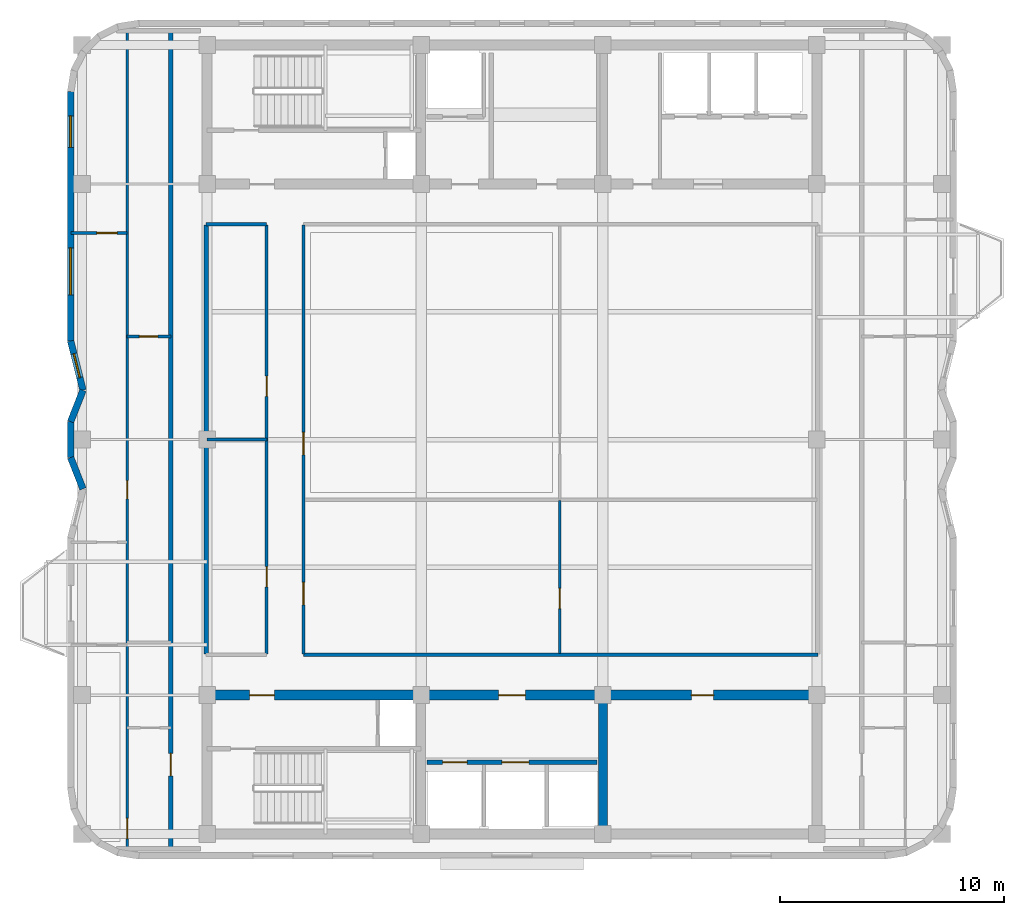
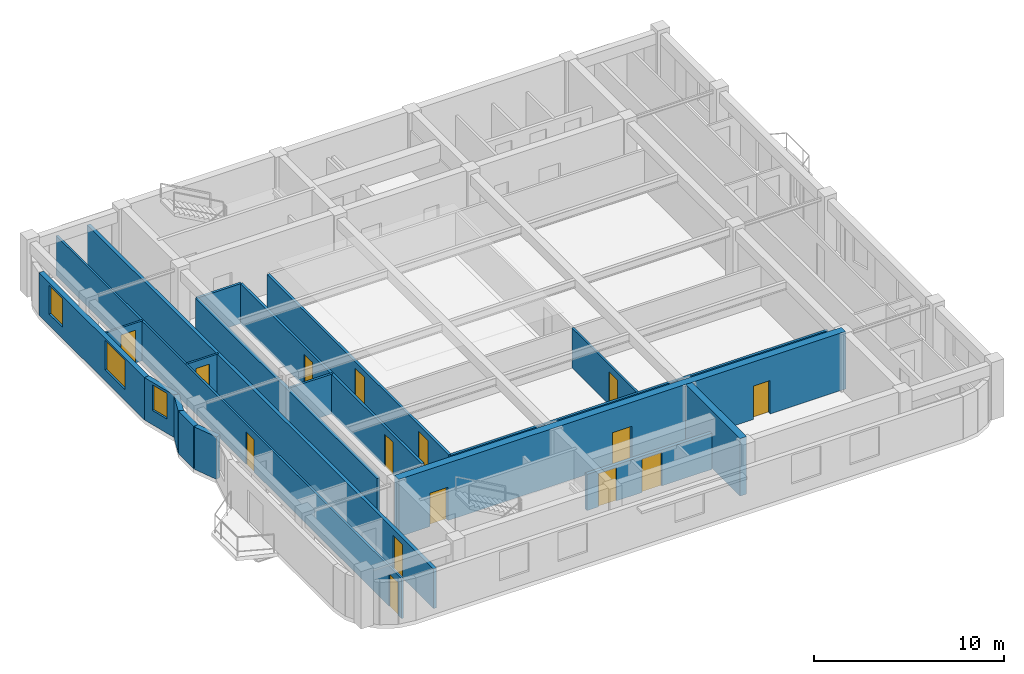
# One storey, part 3 of 8: 19 walls, 15 doors, 3 windows, 18 openings.
"""IFC4 building model written with IfcOpenShell, lengths in metres."""

from ifc_helpers import new_model, si_unit, direction, frame, frame_2d, origin, place, context, subcontext, project, spatial, rectangle, extrude, material, layer, layer_set, type_object, element, fill, save


model = new_model("IFC4")

# Units and contexts
model_context = context("Model", 3, precision=1e-05, world=origin(), true_north=direction((0.0, 1.0)))
body_context = subcontext(model_context, "Body", "Model", "MODEL_VIEW")
ifc_project = project(units=[si_unit("LENGTHUNIT", "METRE"), si_unit("AREAUNIT", "SQUARE_METRE"), si_unit("VOLUMEUNIT", "CUBIC_METRE"), si_unit("PLANEANGLEUNIT", "RADIAN"), si_unit("MASSUNIT", "GRAM", prefix="KILO")], contexts=[model_context])

# Site, building, storey
site_placement = place(None, origin())
site = spatial("IfcSite", under=ifc_project, at=site_placement, CompositionType="ELEMENT")
building_placement = place(site_placement, origin())
building = spatial("IfcBuilding", under=site, at=building_placement, Name="Svetorya Sky Lyceum", CompositionType="ELEMENT")
storey_placement = place(building_placement, frame((0.0, 0.0, 260.199951171875)))
storey = spatial("IfcBuildingStorey", under=building, at=storey_placement, Name="L65", CompositionType="ELEMENT", Elevation=260.199951171875)

# Wall
ifc_material_1 = material(Name="Concrete C40/50", Category="concrete")
ifc_layer_1 = layer(ifc_material_1, 0.39990234375)
ifc_layer_set_1 = layer_set([ifc_layer_1], Name="Concrete C40/50")
wall_type_1 = type_object("IfcWallType", Name="WL-CORE-400", PredefinedType="SHEAR", material=ifc_layer_set_1)
wall_1_placement = place(storey_placement, frame((43.25, 10.824951171875, 0.0), z_axis=(0.0, 0.0, 1.0), x_axis=(0.0, 1.0, 0.0)))
element("IfcWall", 1, at=wall_1_placement, inside=storey, type_object=wall_type_1, Name="L65 SC Internal Shear Web WEB2", PredefinedType="SHEAR", context=body_context, shape_type="SweptSolid", body=[
    extrude(rectangle(XDim=5.75, YDim=0.39990234375, at=frame_2d((2.875, 0.0))), origin(), (0.0, 0.0, 1.0), 3.699951171875),
])

# Wall, openings, doors
ifc_material_2 = material(Name="Concrete C50/60", Category="concrete")
ifc_layer_2 = layer(ifc_material_2, 0.449951171875)
ifc_layer_set_2 = layer_set([ifc_layer_2], Name="Concrete C50/60")
wall_type_2 = type_object("IfcWallType", Name="WL-CORE-450", PredefinedType="SHEAR", material=ifc_layer_set_2)
wall_2_placement = place(storey_placement, frame((25.60009765625, 16.800048828125, 0.0), z_axis=(0.0, 0.0, 1.0), x_axis=(1.0, 0.0, 0.0)))
wall_2 = element("IfcWall", 2, at=wall_2_placement, inside=storey, type_object=wall_type_2, Name="L65 SC Inner Core Shear Wall", PredefinedType="SHEAR", context=body_context, shape_type="SweptSolid", body=[
    extrude(rectangle(XDim=27.199951171875, YDim=0.449951171875, at=frame_2d((13.60009765625, 0.0))), origin(), (0.0, 0.0, 1.0), 3.699951171875),
])
opening_1_placement = place(wall_2_placement, frame((1.89990234375, 0.0, 0.0)))
opening_1 = element("IfcOpeningElement", 3, at=opening_1_placement, cuts=wall_2, Name="Opening D-ST1", PredefinedType="OPENING", context=body_context, shape_type="SweptSolid", body=[
    extrude(rectangle(XDim=1.10009765625, YDim=2.14990234375, at=frame_2d((0.550048828125, 1.074951171875))), frame((0.0, 0.23486328125, 0.0), z_axis=(0.0, -1.0, 0.0), x_axis=(1.0, 0.0, 0.0)), (0.0, 0.0, 1.0), 0.469970703125),
])
opening_2_placement = place(wall_2_placement, frame((13.0, 0.0, 0.0)))
opening_2 = element("IfcOpeningElement", 4, at=opening_2_placement, cuts=wall_2, Name="Opening D-FL1", PredefinedType="OPENING", context=body_context, shape_type="SweptSolid", body=[
    extrude(rectangle(XDim=1.199951171875, YDim=2.14990234375, at=frame_2d((0.60009765625, 1.074951171875))), frame((0.0, 0.23486328125, 0.0), z_axis=(0.0, -1.0, 0.0), x_axis=(1.0, 0.0, 0.0)), (0.0, 0.0, 1.0), 0.469970703125),
])
opening_3_placement = place(wall_2_placement, frame((21.60009765625, 0.0, 0.0)))
opening_3 = element("IfcOpeningElement", 5, at=opening_3_placement, cuts=wall_2, Name="Opening D-RM2", PredefinedType="OPENING", context=body_context, shape_type="SweptSolid", body=[
    extrude(rectangle(XDim=1.0, YDim=2.14990234375, at=frame_2d((0.5, 1.074951171875))), frame((0.0, 0.23486328125, 0.0), z_axis=(0.0, -1.0, 0.0), x_axis=(1.0, 0.0, 0.0)), (0.0, 0.0, 1.0), 0.469970703125),
])
ifc_material_3 = material(Name="Powder-coated insulated galvanized stair fire door")
door_type_1 = type_object("IfcDoorType", Name="DR-FIRE-1100", OperationType="SINGLE_SWING_LEFT", PredefinedType="DOOR", material=ifc_material_3)
door_1_placement = place(opening_1_placement, origin())
door_1 = element("IfcDoor", 6, at=door_1_placement, inside=storey, type_object=door_type_1, Name="L65 South Stair Airlock Door", OperationType="SINGLE_SWING_RIGHT", OverallHeight=2.14990234375, OverallWidth=1.10009765625, PredefinedType="DOOR", context=body_context, shape_type="SweptSolid", body=[
    extrude(rectangle(XDim=1.10009765625, YDim=2.14990234375, at=frame_2d((0.550048828125, 1.074951171875))), frame((0.0, 0.02490234375, 0.0), z_axis=(0.0, -1.0, 0.0), x_axis=(1.0, 0.0, 0.0)), (0.0, 0.0, 1.0), 0.050048828125),
])
fill(opening_1, door_1)
ifc_material_4 = material(Name="Powder-coated insulated galvanized fire door")
door_type_2 = type_object("IfcDoorType", Name="DR-FIRE-1200", OperationType="SINGLE_SWING_LEFT", PredefinedType="DOOR", material=ifc_material_4)
door_2_placement = place(opening_2_placement, origin())
door_2 = element("IfcDoor", 7, at=door_2_placement, inside=storey, type_object=door_type_2, Name="L65 South Firefighting Lift Lobby Door", OperationType="SINGLE_SWING_LEFT", OverallHeight=2.14990234375, OverallWidth=1.199951171875, PredefinedType="DOOR", context=body_context, shape_type="SweptSolid", body=[
    extrude(rectangle(XDim=1.199951171875, YDim=2.14990234375, at=frame_2d((0.60009765625, 1.074951171875))), frame((0.0, 0.02490234375, 0.0), z_axis=(0.0, -1.0, 0.0), x_axis=(1.0, 0.0, 0.0)), (0.0, 0.0, 1.0), 0.050048828125),
])
fill(opening_2, door_2)
ifc_material_5 = material(Name="Solid-core oak acoustic room door")
door_type_3 = type_object("IfcDoorType", Name="DR-INT-1000", OperationType="SINGLE_SWING_LEFT", PredefinedType="DOOR", material=ifc_material_5)
door_3_placement = place(opening_3_placement, origin())
door_3 = element("IfcDoor", 8, at=door_3_placement, inside=storey, type_object=door_type_3, Name="L65 Trunk Store Door", OperationType="SINGLE_SWING_LEFT", OverallHeight=2.14990234375, OverallWidth=1.0, PredefinedType="DOOR", context=body_context, shape_type="SweptSolid", body=[
    extrude(rectangle(XDim=1.0, YDim=2.14990234375, at=frame_2d((0.5, 1.074951171875))), frame((0.0, 0.02490234375, 0.0), z_axis=(0.0, -1.0, 0.0), x_axis=(1.0, 0.0, 0.0)), (0.0, 0.0, 1.0), 0.050048828125),
])
fill(opening_3, door_3)

# Wall, openings, windows
ifc_material_6 = material(Name="Putilovo limestone rainscreen on autoclaved cellular masonry", Category="masonry")
ifc_layer_3 = layer(ifc_material_6, 0.300048828125)
ifc_layer_set_3 = layer_set([ifc_layer_3], Name="Putilovo limestone rainscreen on autoclaved cellular masonry")
wall_type_3 = type_object("IfcWallType", Name="WL-EXT-300", PredefinedType="SOLIDWALL", material=ifc_layer_set_3)
wall_3_placement = place(storey_placement, frame((19.510009765625, 43.719970703125, 0.0), z_axis=(0.0, 0.0, 1.0), x_axis=(0.0, -1.0, 0.0)))
wall_3 = element("IfcWall", 9, at=wall_3_placement, inside=storey, type_object=wall_type_3, Name="L65 Limestone Exterior Wall 30M", PredefinedType="SOLIDWALL", context=body_context, shape_type="SweptSolid", body=[
    extrude(rectangle(XDim=11.119873046875, YDim=0.300048828125, at=frame_2d((5.56005859375, 0.0))), origin(), (0.0, 0.0, 1.0), 2.72998046875),
])
opening_4_placement = place(wall_3_placement, frame((1.080078125, 0.0, 0.719970703125)))
opening_4 = element("IfcOpeningElement", 10, at=opening_4_placement, cuts=wall_3, Name="Opening W-R2", PredefinedType="OPENING", context=body_context, shape_type="SweptSolid", body=[
    extrude(rectangle(XDim=1.39990234375, YDim=1.85009765625, at=frame_2d((0.699951171875, 0.925048828125))), frame((0.0, 0.159912109375, 0.0), z_axis=(0.0, -1.0, 0.0), x_axis=(1.0, 0.0, 0.0)), (0.0, 0.0, 1.0), 0.320068359375),
])
opening_5_placement = place(wall_3_placement, frame((6.965087890625, 0.0, 0.7099609375)))
opening_5 = element("IfcOpeningElement", 11, at=opening_5_placement, cuts=wall_3, Name="Opening W-R0", PredefinedType="OPENING", context=body_context, shape_type="SweptSolid", body=[
    extrude(rectangle(XDim=2.10009765625, YDim=1.89990234375, at=frame_2d((1.050048828125, 0.949951171875))), frame((0.0, 0.159912109375, 0.0), z_axis=(0.0, -1.0, 0.0), x_axis=(1.0, 0.0, 0.0)), (0.0, 0.0, 1.0), 0.320068359375),
])
ifc_material_7 = material(Name="Thermally broken aluminium frame with triple low-E glazing", Category="aluminium")
window_type_1 = type_object("IfcWindowType", Name="WN-RES-140", PartitioningType="SINGLE_PANEL", PredefinedType="WINDOW", material=ifc_material_7)
window_1_placement = place(opening_4_placement, origin())
window_1 = element("IfcWindow", 12, at=window_1_placement, inside=storey, type_object=window_type_1, Name="L65 Facade Window W-R2.30M.2", OverallHeight=1.85009765625, OverallWidth=1.39990234375, PartitioningType="SINGLE_PANEL", PredefinedType="WINDOW", context=body_context, shape_type="SweptSolid", body=[
    extrude(rectangle(XDim=1.39990234375, YDim=1.85009765625, at=frame_2d((0.699951171875, 0.925048828125))), frame((0.0, 0.030029296875, 0.0), z_axis=(0.0, -1.0, 0.0), x_axis=(1.0, 0.0, 0.0)), (0.0, 0.0, 1.0), 0.06005859375),
])
fill(opening_4, window_1)
window_type_2 = type_object("IfcWindowType", Name="WN-RES-210", PartitioningType="TRIPLE_PANEL_VERTICAL", PredefinedType="WINDOW", material=ifc_material_7)
window_2_placement = place(opening_5_placement, origin())
window_2 = element("IfcWindow", 13, at=window_2_placement, inside=storey, type_object=window_type_2, Name="L65 Facade Window W-R0.30M.1", OverallHeight=1.89990234375, OverallWidth=2.10009765625, PartitioningType="SINGLE_PANEL", PredefinedType="WINDOW", context=body_context, shape_type="SweptSolid", body=[
    extrude(rectangle(XDim=2.10009765625, YDim=1.89990234375, at=frame_2d((1.050048828125, 0.949951171875))), frame((0.0, 0.030029296875, 0.0), z_axis=(0.0, -1.0, 0.0), x_axis=(1.0, 0.0, 0.0)), (0.0, 0.0, 1.0), 0.06005859375),
])
fill(opening_5, window_2)

# Wall, opening, window
wall_4_placement = place(storey_placement, frame((19.510009765625, 32.60009765625, 0.0), z_axis=(0.0, 0.0, 1.0), x_axis=(0.242535625036, -0.970142500145, 0.0)))
wall_4 = element("IfcWall", 14, at=wall_4_placement, inside=storey, type_object=wall_type_3, Name="L65 Limestone Exterior Wall 31M", PredefinedType="SOLIDWALL", context=body_context, shape_type="SweptSolid", body=[
    extrude(rectangle(XDim=2.267822265625, YDim=0.300048828125, at=frame_2d((1.1337890625, 0.0))), origin(), (0.0, 0.0, 1.0), 2.72998046875),
])
opening_6_placement = place(wall_4_placement, frame((0.583984375, 0.0, 0.919921875)))
opening_6 = element("IfcOpeningElement", 15, at=opening_6_placement, cuts=wall_4, Name="Opening W-R3", PredefinedType="OPENING", context=body_context, shape_type="SweptSolid", body=[
    extrude(rectangle(XDim=1.10009765625, YDim=1.64990234375, at=frame_2d((0.550048828125, 0.824951171875))), frame((0.0, 0.159912109375, 0.0), z_axis=(0.0, -1.0, 0.0), x_axis=(1.0, 0.0, 0.0)), (0.0, 0.0, 1.0), 0.320068359375),
])
window_type_3 = type_object("IfcWindowType", Name="WN-RES-110", PartitioningType="SINGLE_PANEL", PredefinedType="WINDOW", material=ifc_material_7)
window_3_placement = place(opening_6_placement, origin())
window_3 = element("IfcWindow", 16, at=window_3_placement, inside=storey, type_object=window_type_3, Name="L65 Facade Window W-R3.31M.1", OverallHeight=1.64990234375, OverallWidth=1.10009765625, PartitioningType="SINGLE_PANEL", PredefinedType="WINDOW", context=body_context, shape_type="SweptSolid", body=[
    extrude(rectangle(XDim=1.10009765625, YDim=1.64990234375, at=frame_2d((0.550048828125, 0.824951171875))), frame((0.0, 0.030029296875, 0.0), z_axis=(0.0, -1.0, 0.0), x_axis=(1.0, 0.0, 0.0)), (0.0, 0.0, 1.0), 0.06005859375),
])
fill(opening_6, window_3)

# Walls
wall_5_placement = place(storey_placement, frame((20.06005859375, 30.39990234375, 0.0), z_axis=(0.0, 0.0, 1.0), x_axis=(-0.365702591843, -0.930731762818, 0.0)))
element("IfcWall", 17, at=wall_5_placement, inside=storey, type_object=wall_type_3, Name="L65 Limestone Exterior Wall 32M", PredefinedType="SOLIDWALL", context=body_context, shape_type="SweptSolid", body=[
    extrude(rectangle(XDim=1.504150390625, YDim=0.300048828125, at=frame_2d((0.751953125, 0.0))), origin(), (0.0, 0.0, 1.0), 2.72998046875),
])
wall_6_placement = place(storey_placement, frame((19.510009765625, 29.0, 0.0), z_axis=(0.0, 0.0, 1.0), x_axis=(0.0, -1.0, 0.0)))
element("IfcWall", 18, at=wall_6_placement, inside=storey, type_object=wall_type_3, Name="L65 Limestone Exterior Wall 33M", PredefinedType="SOLIDWALL", context=body_context, shape_type="SweptSolid", body=[
    extrude(rectangle(XDim=1.60009765625, YDim=0.300048828125, at=frame_2d((0.800048828125, 0.0))), origin(), (0.0, 0.0, 1.0), 2.72998046875),
])
wall_7_placement = place(storey_placement, frame((19.510009765625, 27.39990234375, 0.0), z_axis=(0.0, 0.0, 1.0), x_axis=(0.365702591843, -0.930731762818, 0.0)))
element("IfcWall", 19, at=wall_7_placement, inside=storey, type_object=wall_type_3, Name="L65 Limestone Exterior Wall 34M", PredefinedType="SOLIDWALL", context=body_context, shape_type="SweptSolid", body=[
    extrude(rectangle(XDim=1.504150390625, YDim=0.300048828125, at=frame_2d((0.751953125, 0.0))), origin(), (0.0, 0.0, 1.0), 2.72998046875),
])

# Wall, opening, door
ifc_material_8 = material(Name="Twin-stud galvanized framing with double fireboard", Category="gypsum")
ifc_layer_4 = layer(ifc_material_8, 0.1201171875)
ifc_layer_set_4 = layer_set([ifc_layer_4], Name="Twin-stud galvanized framing with double fireboard")
wall_type_4 = type_object("IfcWallType", Name="WL-PART-120", PredefinedType="PARTITIONING", material=ifc_layer_set_4)
wall_8_placement = place(storey_placement, frame((41.3349609375, 18.659912109375, 0.0), z_axis=(0.0, 0.0, 1.0), x_axis=(0.0, 1.0, 0.0)))
wall_8 = element("IfcWall", 20, at=wall_8_placement, inside=storey, type_object=wall_type_4, Name="L65 Interior Partition OFF-VEM1", PredefinedType="PARTITIONING", context=body_context, shape_type="SweptSolid", body=[
    extrude(rectangle(XDim=6.820556640625, YDim=0.1201171875, at=frame_2d((3.41015625, 0.0))), origin(), (0.0, 0.0, 1.0), 2.56005859375),
])
opening_7_placement = place(wall_8_placement, frame((2.0, 0.0, 0.0)))
opening_7 = element("IfcOpeningElement", 21, at=opening_7_placement, cuts=wall_8, Name="Opening D-RM1", PredefinedType="OPENING", context=body_context, shape_type="SweptSolid", body=[
    extrude(rectangle(XDim=0.89990234375, YDim=2.10009765625, at=frame_2d((0.449951171875, 1.050048828125))), frame((0.0, 0.070068359375, 0.0), z_axis=(0.0, -1.0, 0.0), x_axis=(1.0, 0.0, 0.0)), (0.0, 0.0, 1.0), 0.14013671875),
])
ifc_material_9 = material(Name="Lacquered birch veneer internal door")
door_type_4 = type_object("IfcDoorType", Name="DR-INT-900", OperationType="SINGLE_SWING_LEFT", PredefinedType="DOOR", material=ifc_material_9)
door_4_placement = place(opening_7_placement, origin())
door_4 = element("IfcDoor", 22, at=door_4_placement, inside=storey, type_object=door_type_4, Name="L65 East Study Door", OperationType="SINGLE_SWING_LEFT", OverallHeight=2.10009765625, OverallWidth=0.89990234375, PredefinedType="DOOR", context=body_context, shape_type="SweptSolid", body=[
    extrude(rectangle(XDim=0.89990234375, YDim=2.10009765625, at=frame_2d((0.449951171875, 1.050048828125))), frame((0.0, 0.02490234375, 0.0), z_axis=(0.0, -1.0, 0.0), x_axis=(1.0, 0.0, 0.0)), (0.0, 0.0, 1.0), 0.050048828125),
])
fill(opening_7, door_4)

wall_9_placement = place(storey_placement, frame((22.030029296875, 32.800048828125, 0.0), z_axis=(0.0, 0.0, 1.0), x_axis=(1.0, 0.0, 0.0)))
wall_9 = element("IfcWall", 23, at=wall_9_placement, inside=storey, type_object=wall_type_4, Name="L65 Interior Partition W1-WH3", PredefinedType="PARTITIONING", context=body_context, shape_type="SweptSolid", body=[
    extrude(rectangle(XDim=1.949951171875, YDim=0.1201171875, at=frame_2d((0.97509765625, 0.0))), origin(), (0.0, 0.0, 1.0), 2.56005859375),
])
opening_8_placement = place(wall_9_placement, frame((0.550048828125, 0.0, 0.0)))
opening_8 = element("IfcOpeningElement", 24, at=opening_8_placement, cuts=wall_9, Name="Opening D-BT2", PredefinedType="OPENING", context=body_context, shape_type="SweptSolid", body=[
    extrude(rectangle(XDim=0.820068359375, YDim=2.080078125, at=frame_2d((0.41015625, 1.0400390625))), frame((0.0, 0.070068359375, 0.0), z_axis=(0.0, -1.0, 0.0), x_axis=(1.0, 0.0, 0.0)), (0.0, 0.0, 1.0), 0.14013671875),
])
ifc_material_10 = material(Name="Compact moisture-resistant laminate closet door")
door_type_5 = type_object("IfcDoorType", Name="DR-WET-820", OperationType="SINGLE_SWING_LEFT", PredefinedType="DOOR", material=ifc_material_10)
door_5_placement = place(opening_8_placement, origin())
door_5 = element("IfcDoor", 25, at=door_5_placement, inside=storey, type_object=door_type_5, Name="Apartment W1 Laundry Door", OperationType="SINGLE_SWING_RIGHT", OverallHeight=2.080078125, OverallWidth=0.820068359375, PredefinedType="DOOR", context=body_context, shape_type="SweptSolid", body=[
    extrude(rectangle(XDim=0.820068359375, YDim=2.080078125, at=frame_2d((0.41015625, 1.0400390625))), frame((0.0, 0.02490234375, 0.0), z_axis=(0.0, -1.0, 0.0), x_axis=(1.0, 0.0, 0.0)), (0.0, 0.0, 1.0), 0.050048828125),
])
fill(opening_8, door_5)

wall_10_placement = place(storey_placement, frame((19.530029296875, 37.419921875, 0.0), z_axis=(0.0, 0.0, 1.0), x_axis=(1.0, 0.0, 0.0)))
wall_10 = element("IfcWall", 26, at=wall_10_placement, inside=storey, type_object=wall_type_4, Name="L65 Interior Partition W1-WL3", PredefinedType="PARTITIONING", context=body_context, shape_type="SweptSolid", body=[
    extrude(rectangle(XDim=2.5, YDim=0.1201171875, at=frame_2d((1.25, 0.0))), origin(), (0.0, 0.0, 1.0), 2.56005859375),
])
opening_9_placement = place(wall_10_placement, frame((1.14990234375, 0.0, 0.0)))
opening_9 = element("IfcOpeningElement", 27, at=opening_9_placement, cuts=wall_10, Name="Opening D-RM1", PredefinedType="OPENING", context=body_context, shape_type="SweptSolid", body=[
    extrude(rectangle(XDim=0.89990234375, YDim=2.10009765625, at=frame_2d((0.449951171875, 1.050048828125))), frame((0.0, 0.070068359375, 0.0), z_axis=(0.0, -1.0, 0.0), x_axis=(1.0, 0.0, 0.0)), (0.0, 0.0, 1.0), 0.14013671875),
])
door_6_placement = place(opening_9_placement, origin())
door_6 = element("IfcDoor", 28, at=door_6_placement, inside=storey, type_object=door_type_4, Name="Apartment W1 Bedroom 3 Door", OperationType="SINGLE_SWING_LEFT", OverallHeight=2.10009765625, OverallWidth=0.89990234375, PredefinedType="DOOR", context=body_context, shape_type="SweptSolid", body=[
    extrude(rectangle(XDim=0.89990234375, YDim=2.10009765625, at=frame_2d((0.449951171875, 1.050048828125))), frame((0.0, 0.02490234375, 0.0), z_axis=(0.0, -1.0, 0.0), x_axis=(1.0, 0.0, 0.0)), (0.0, 0.0, 1.0), 0.050048828125),
])
fill(opening_9, door_6)

# Wall, openings, doors
wall_11_placement = place(storey_placement, frame((22.030029296875, 9.989990234375, 0.0), z_axis=(0.0, 0.0, 1.0), x_axis=(0.0, 1.0, 0.0)))
wall_11 = element("IfcWall", 29, at=wall_11_placement, inside=storey, type_object=wall_type_4, Name="L65 Interior Partition W1-WV", PredefinedType="PARTITIONING", context=body_context, shape_type="SweptSolid", body=[
    extrude(rectangle(XDim=36.419921875, YDim=0.1201171875, at=frame_2d((18.2099609375, 0.0))), origin(), (0.0, 0.0, 1.0), 2.56005859375),
])
opening_10_placement = place(wall_11_placement, frame((0.409912109375, 0.0, 0.0)))
opening_10 = element("IfcOpeningElement", 30, at=opening_10_placement, cuts=wall_11, Name="Opening D-RM1", PredefinedType="OPENING", context=body_context, shape_type="SweptSolid", body=[
    extrude(rectangle(XDim=0.89990234375, YDim=2.10009765625, at=frame_2d((0.449951171875, 1.050048828125))), frame((0.0, 0.070068359375, 0.0), z_axis=(0.0, -1.0, 0.0), x_axis=(1.0, 0.0, 0.0)), (0.0, 0.0, 1.0), 0.14013671875),
])
opening_11_placement = place(wall_11_placement, frame((15.56005859375, 0.0, 0.0)))
opening_11 = element("IfcOpeningElement", 31, at=opening_11_placement, cuts=wall_11, Name="Opening D-BT2", PredefinedType="OPENING", context=body_context, shape_type="SweptSolid", body=[
    extrude(rectangle(XDim=0.820068359375, YDim=2.080078125, at=frame_2d((0.41015625, 1.0400390625))), frame((0.0, 0.070068359375, 0.0), z_axis=(0.0, -1.0, 0.0), x_axis=(1.0, 0.0, 0.0)), (0.0, 0.0, 1.0), 0.14013671875),
])
door_7_placement = place(opening_10_placement, origin())
door_7 = element("IfcDoor", 32, at=door_7_placement, inside=storey, type_object=door_type_4, Name="Apartment W1 Living Door", OperationType="SINGLE_SWING_RIGHT", OverallHeight=2.10009765625, OverallWidth=0.89990234375, PredefinedType="DOOR", context=body_context, shape_type="SweptSolid", body=[
    extrude(rectangle(XDim=0.89990234375, YDim=2.10009765625, at=frame_2d((0.449951171875, 1.050048828125))), frame((0.0, 0.02490234375, 0.0), z_axis=(0.0, -1.0, 0.0), x_axis=(1.0, 0.0, 0.0)), (0.0, 0.0, 1.0), 0.050048828125),
])
fill(opening_10, door_7)
door_8_placement = place(opening_11_placement, origin())
door_8 = element("IfcDoor", 33, at=door_8_placement, inside=storey, type_object=door_type_5, Name="Apartment W1 Study Door", OperationType="SINGLE_SWING_LEFT", OverallHeight=2.080078125, OverallWidth=0.820068359375, PredefinedType="DOOR", context=body_context, shape_type="SweptSolid", body=[
    extrude(rectangle(XDim=0.820068359375, YDim=2.080078125, at=frame_2d((0.41015625, 1.0400390625))), frame((0.0, 0.02490234375, 0.0), z_axis=(0.0, -1.0, 0.0), x_axis=(1.0, 0.0, 0.0)), (0.0, 0.0, 1.0), 0.050048828125),
])
fill(opening_11, door_8)

# Walls
ifc_material_11 = material(Name="Twin-stud galvanized framing with acoustic board", Category="gypsum")
ifc_layer_5 = layer(ifc_material_11, 0.135009765625)
ifc_layer_set_5 = layer_set([ifc_layer_5], Name="Twin-stud galvanized framing with acoustic board")
wall_type_5 = type_object("IfcWallType", Name="WL-PART-135", PredefinedType="PARTITIONING", material=ifc_layer_set_5)
wall_12_placement = place(storey_placement, frame((25.60009765625, 28.199951171875, 0.0), z_axis=(0.0, 0.0, 1.0), x_axis=(1.0, 0.0, 0.0)))
element("IfcWall", 34, at=wall_12_placement, inside=storey, type_object=wall_type_5, Name="L65 Interior Partition OFF-HW", PredefinedType="PARTITIONING", context=body_context, shape_type="SweptSolid", body=[
    extrude(rectangle(XDim=2.659912109375, YDim=0.135009765625, at=frame_2d((1.330078125, 0.0))), origin(), (0.0, 0.0, 1.0), 2.56005859375),
])
ifc_material_12 = material(Name="Autoclaved cellular masonry blockwork with acoustic render", Category="masonry")
ifc_layer_6 = layer(ifc_material_12, 0.14990234375)
ifc_layer_set_6 = layer_set([ifc_layer_6], Name="Autoclaved cellular masonry blockwork with acoustic render")
wall_type_6 = type_object("IfcWallType", Name="WL-PART-150", PredefinedType="PARTITIONING", material=ifc_layer_set_6)
wall_13_placement = place(storey_placement, frame((29.89990234375, 18.60009765625, 0.0), z_axis=(0.0, 0.0, 1.0), x_axis=(1.0, 0.0, 0.0)))
element("IfcWall", 35, at=wall_13_placement, inside=storey, type_object=wall_type_6, Name="L65 Interior Partition OFF-CS-E", PredefinedType="PARTITIONING", context=body_context, shape_type="SweptSolid", body=[
    extrude(rectangle(XDim=22.9501953125, YDim=0.14990234375, at=frame_2d((11.47509765625, 0.0))), origin(), (0.0, 0.0, 1.0), 2.56005859375),
])
wall_14_placement = place(storey_placement, frame((25.550048828125, 37.800048828125, 0.0), z_axis=(0.0, 0.0, 1.0), x_axis=(1.0, 0.0, 0.0)))
element("IfcWall", 36, at=wall_14_placement, inside=storey, type_object=wall_type_6, Name="L65 Interior Partition OFF-CN-W", PredefinedType="PARTITIONING", context=body_context, shape_type="SweptSolid", body=[
    extrude(rectangle(XDim=2.699951171875, YDim=0.14990234375, at=frame_2d((1.35009765625, 0.0))), origin(), (0.0, 0.0, 1.0), 2.56005859375),
])

# Wall, openings, doors
wall_15_placement = place(storey_placement, frame((28.25, 18.6298828125, 0.0), z_axis=(0.0, 0.0, 1.0), x_axis=(0.0, 1.0, 0.0)))
wall_15 = element("IfcWall", 37, at=wall_15_placement, inside=storey, type_object=wall_type_6, Name="L65 Interior Partition OFF-VW", PredefinedType="PARTITIONING", context=body_context, shape_type="SweptSolid", body=[
    extrude(rectangle(XDim=19.14013671875, YDim=0.14990234375, at=frame_2d((9.570068359375, 0.0))), origin(), (0.0, 0.0, 1.0), 2.56005859375),
])
opening_12_placement = place(wall_15_placement, frame((3.0, 0.0, 0.0)))
opening_12 = element("IfcOpeningElement", 38, at=opening_12_placement, cuts=wall_15, Name="Opening D-RM1", PredefinedType="OPENING", context=body_context, shape_type="SweptSolid", body=[
    extrude(rectangle(XDim=0.89990234375, YDim=2.10009765625, at=frame_2d((0.449951171875, 1.050048828125))), frame((0.0, 0.0849609375, 0.0), z_axis=(0.0, -1.0, 0.0), x_axis=(1.0, 0.0, 0.0)), (0.0, 0.0, 1.0), 0.169921875),
])
opening_13_placement = place(wall_15_placement, frame((11.5, 0.0, 0.0)))
opening_13 = element("IfcOpeningElement", 39, at=opening_13_placement, cuts=wall_15, Name="Opening D-RM1", PredefinedType="OPENING", context=body_context, shape_type="SweptSolid", body=[
    extrude(rectangle(XDim=0.89990234375, YDim=2.10009765625, at=frame_2d((0.449951171875, 1.050048828125))), frame((0.0, 0.0849609375, 0.0), z_axis=(0.0, -1.0, 0.0), x_axis=(1.0, 0.0, 0.0)), (0.0, 0.0, 1.0), 0.169921875),
])
door_9_placement = place(opening_12_placement, origin())
door_9 = element("IfcDoor", 40, at=door_9_placement, inside=storey, type_object=door_type_4, Name="L65 Study Door", OperationType="SINGLE_SWING_LEFT", OverallHeight=2.10009765625, OverallWidth=0.89990234375, PredefinedType="DOOR", context=body_context, shape_type="SweptSolid", body=[
    extrude(rectangle(XDim=0.89990234375, YDim=2.10009765625, at=frame_2d((0.449951171875, 1.050048828125))), frame((0.0, 0.02490234375, 0.0), z_axis=(0.0, -1.0, 0.0), x_axis=(1.0, 0.0, 0.0)), (0.0, 0.0, 1.0), 0.050048828125),
])
fill(opening_12, door_9)
door_10_placement = place(opening_13_placement, origin())
door_10 = element("IfcDoor", 41, at=door_10_placement, inside=storey, type_object=door_type_4, Name="L65 Focus Door", OperationType="SINGLE_SWING_RIGHT", OverallHeight=2.10009765625, OverallWidth=0.89990234375, PredefinedType="DOOR", context=body_context, shape_type="SweptSolid", body=[
    extrude(rectangle(XDim=0.89990234375, YDim=2.10009765625, at=frame_2d((0.449951171875, 1.050048828125))), frame((0.0, 0.02490234375, 0.0), z_axis=(0.0, -1.0, 0.0), x_axis=(1.0, 0.0, 0.0)), (0.0, 0.0, 1.0), 0.050048828125),
])
fill(opening_13, door_10)

wall_16_placement = place(storey_placement, frame((29.89990234375, 18.6298828125, 0.0), z_axis=(0.0, 0.0, 1.0), x_axis=(0.0, 1.0, 0.0)))
wall_16 = element("IfcWall", 42, at=wall_16_placement, inside=storey, type_object=wall_type_6, Name="L65 Interior Partition OFF-VE", PredefinedType="PARTITIONING", context=body_context, shape_type="SweptSolid", body=[
    extrude(rectangle(XDim=19.14013671875, YDim=0.14990234375, at=frame_2d((9.570068359375, 0.0))), origin(), (0.0, 0.0, 1.0), 2.56005859375),
])
opening_14_placement = place(wall_16_placement, frame((2.199951171875, 0.0, 0.0)))
opening_14 = element("IfcOpeningElement", 43, at=opening_14_placement, cuts=wall_16, Name="Opening D-RM2", PredefinedType="OPENING", context=body_context, shape_type="SweptSolid", body=[
    extrude(rectangle(XDim=1.0, YDim=2.14990234375, at=frame_2d((0.5, 1.074951171875))), frame((0.0, 0.0849609375, 0.0), z_axis=(0.0, -1.0, 0.0), x_axis=(1.0, 0.0, 0.0)), (0.0, 0.0, 1.0), 0.169921875),
])
opening_15_placement = place(wall_16_placement, frame((8.890380859375, 0.0, 0.0)))
opening_15 = element("IfcOpeningElement", 44, at=opening_15_placement, cuts=wall_16, Name="Opening D-RM2", PredefinedType="OPENING", context=body_context, shape_type="SweptSolid", body=[
    extrude(rectangle(XDim=1.0, YDim=2.14990234375, at=frame_2d((0.5, 1.074951171875))), frame((0.0, 0.0849609375, 0.0), z_axis=(0.0, -1.0, 0.0), x_axis=(1.0, 0.0, 0.0)), (0.0, 0.0, 1.0), 0.169921875),
])
door_11_placement = place(opening_14_placement, origin())
door_11 = element("IfcDoor", 45, at=door_11_placement, inside=storey, type_object=door_type_3, Name="L65 Meeting Door", OperationType="SINGLE_SWING_RIGHT", OverallHeight=2.14990234375, OverallWidth=1.0, PredefinedType="DOOR", context=body_context, shape_type="SweptSolid", body=[
    extrude(rectangle(XDim=1.0, YDim=2.14990234375, at=frame_2d((0.5, 1.074951171875))), frame((0.0, 0.02490234375, 0.0), z_axis=(0.0, -1.0, 0.0), x_axis=(1.0, 0.0, 0.0)), (0.0, 0.0, 1.0), 0.050048828125),
])
fill(opening_14, door_11)
door_12_placement = place(opening_15_placement, origin())
door_12 = element("IfcDoor", 46, at=door_12_placement, inside=storey, type_object=door_type_3, Name="L65 North Room Door", OperationType="SINGLE_SWING_LEFT", OverallHeight=2.14990234375, OverallWidth=1.0, PredefinedType="DOOR", context=body_context, shape_type="SweptSolid", body=[
    extrude(rectangle(XDim=1.0, YDim=2.14990234375, at=frame_2d((0.5, 1.074951171875))), frame((0.0, 0.02490234375, 0.0), z_axis=(0.0, -1.0, 0.0), x_axis=(1.0, 0.0, 0.0)), (0.0, 0.0, 1.0), 0.050048828125),
])
fill(opening_15, door_12)

ifc_material_13 = material(Name="Autoclaved cellular masonry blockwork with gypsum plaster", Category="masonry")
ifc_layer_7 = layer(ifc_material_13, 0.199951171875)
ifc_layer_set_7 = layer_set([ifc_layer_7], Name="Autoclaved cellular masonry blockwork with gypsum plaster")
wall_type_7 = type_object("IfcWallType", Name="WL-PART-200", PredefinedType="PARTITIONING", material=ifc_layer_set_7)
wall_17_placement = place(storey_placement, frame((35.39990234375, 13.800048828125, 0.0), z_axis=(0.0, 0.0, 1.0), x_axis=(1.0, 0.0, 0.0)))
wall_17 = element("IfcWall", 47, at=wall_17_placement, inside=storey, type_object=wall_type_7, Name="L65 Interior Partition SC-FLW", PredefinedType="PARTITIONING", context=body_context, shape_type="SweptSolid", body=[
    extrude(rectangle(XDim=7.60009765625, YDim=0.199951171875, at=frame_2d((3.800048828125, 0.0))), origin(), (0.0, 0.0, 1.0), 2.330078125),
])
opening_16_placement = place(wall_17_placement, frame((0.699951171875, 0.0, 0.0)))
opening_16 = element("IfcOpeningElement", 48, at=opening_16_placement, cuts=wall_17, Name="Opening LD-FL", PredefinedType="OPENING", context=body_context, shape_type="SweptSolid", body=[
    extrude(rectangle(XDim=1.10009765625, YDim=2.14990234375, at=frame_2d((0.550048828125, 1.074951171875))), frame((0.0, 0.10986328125, 0.0), z_axis=(0.0, -1.0, 0.0), x_axis=(1.0, 0.0, 0.0)), (0.0, 0.0, 1.0), 0.219970703125),
])
opening_17_placement = place(wall_17_placement, frame((3.35009765625, 0.0, 0.0)))
opening_17 = element("IfcOpeningElement", 49, at=opening_17_placement, cuts=wall_17, Name="Opening LD-SV", PredefinedType="OPENING", context=body_context, shape_type="SweptSolid", body=[
    extrude(rectangle(XDim=1.199951171875, YDim=2.14990234375, at=frame_2d((0.60009765625, 1.074951171875))), frame((0.0, 0.10986328125, 0.0), z_axis=(0.0, -1.0, 0.0), x_axis=(1.0, 0.0, 0.0)), (0.0, 0.0, 1.0), 0.219970703125),
])
ifc_material_14 = material(Name="Fire-rated stainless AISI 304 firefighting lift landing door")
door_type_6 = type_object("IfcDoorType", Name="DR-LIFT-1100", OperationType="SLIDING_TO_LEFT", PredefinedType="DOOR", material=ifc_material_14)
door_13_placement = place(opening_16_placement, origin())
door_13 = element("IfcDoor", 50, at=door_13_placement, inside=storey, type_object=door_type_6, Name="L65 Firefighting Lift FL2 Landing Door", OperationType="SLIDING_TO_LEFT", OverallHeight=2.14990234375, OverallWidth=1.10009765625, PredefinedType="DOOR", context=body_context, shape_type="SweptSolid", body=[
    extrude(rectangle(XDim=1.10009765625, YDim=2.14990234375, at=frame_2d((0.550048828125, 1.074951171875))), frame((0.0, 0.02490234375, 0.0), z_axis=(0.0, -1.0, 0.0), x_axis=(1.0, 0.0, 0.0)), (0.0, 0.0, 1.0), 0.050048828125),
])
fill(opening_16, door_13)
ifc_material_15 = material(Name="Brushed stainless AISI 304 telescopic lift landing door")
door_type_7 = type_object("IfcDoorType", Name="DR-LIFT-1200", OperationType="SLIDING_TO_LEFT", PredefinedType="DOOR", material=ifc_material_15)
door_14_placement = place(opening_17_placement, origin())
door_14 = element("IfcDoor", 51, at=door_14_placement, inside=storey, type_object=door_type_7, Name="L65 Service Lift SVL1 Landing Door", OperationType="SLIDING_TO_LEFT", OverallHeight=2.14990234375, OverallWidth=1.199951171875, PredefinedType="DOOR", context=body_context, shape_type="SweptSolid", body=[
    extrude(rectangle(XDim=1.199951171875, YDim=2.14990234375, at=frame_2d((0.60009765625, 1.074951171875))), frame((0.0, 0.02490234375, 0.0), z_axis=(0.0, -1.0, 0.0), x_axis=(1.0, 0.0, 0.0)), (0.0, 0.0, 1.0), 0.050048828125),
])
fill(opening_17, door_14)

# Wall
wall_18_placement = place(storey_placement, frame((25.550048828125, 18.6298828125, 0.0), z_axis=(0.0, 0.0, 1.0), x_axis=(0.0, 1.0, 0.0)))
element("IfcWall", 52, at=wall_18_placement, inside=storey, type_object=wall_type_7, Name="L65 Interior Partition W-CEN-SEP", PredefinedType="PARTITIONING", context=body_context, shape_type="SweptSolid", body=[
    extrude(rectangle(XDim=19.14013671875, YDim=0.199951171875, at=frame_2d((9.570068359375, 0.0))), origin(), (0.0, 0.0, 1.0), 2.56005859375),
])

# Wall, opening, door
wall_19_placement = place(storey_placement, frame((23.97998046875, 9.949951171875, 0.0), z_axis=(0.0, 0.0, 1.0), x_axis=(0.0, 1.0, 0.0)))
wall_19 = element("IfcWall", 53, at=wall_19_placement, inside=storey, type_object=wall_type_7, Name="L65 Interior Partition W-CORRW", PredefinedType="PARTITIONING", context=body_context, shape_type="SweptSolid", body=[
    extrude(rectangle(XDim=36.5, YDim=0.199951171875, at=frame_2d((18.25, 0.0))), origin(), (0.0, 0.0, 1.0), 2.56005859375),
])
opening_18_placement = place(wall_19_placement, frame((3.25, 0.0, 0.0)))
opening_18 = element("IfcOpeningElement", 54, at=opening_18_placement, cuts=wall_19, Name="Opening D-APT1", PredefinedType="OPENING", context=body_context, shape_type="SweptSolid", body=[
    extrude(rectangle(XDim=1.0, YDim=2.14990234375, at=frame_2d((0.5, 1.074951171875))), frame((0.0, 0.10986328125, 0.0), z_axis=(0.0, -1.0, 0.0), x_axis=(1.0, 0.0, 0.0)), (0.0, 0.0, 1.0), 0.219970703125),
])
ifc_material_16 = material(Name="Insulated oak-veneered apartment entrance door")
door_type_8 = type_object("IfcDoorType", Name="DR-APT-1000", OperationType="SINGLE_SWING_LEFT", PredefinedType="DOOR", material=ifc_material_16)
door_15_placement = place(opening_18_placement, origin())
door_15 = element("IfcDoor", 55, at=door_15_placement, inside=storey, type_object=door_type_8, Name="L65 Apartment W1 Entrance Door", OperationType="SINGLE_SWING_LEFT", OverallHeight=2.14990234375, OverallWidth=1.0, PredefinedType="DOOR", context=body_context, shape_type="SweptSolid", body=[
    extrude(rectangle(XDim=1.0, YDim=2.14990234375, at=frame_2d((0.5, 1.074951171875))), frame((0.0, 0.02490234375, 0.0), z_axis=(0.0, -1.0, 0.0), x_axis=(1.0, 0.0, 0.0)), (0.0, 0.0, 1.0), 0.050048828125),
])
fill(opening_18, door_15)

save(model, "model.ifc")
